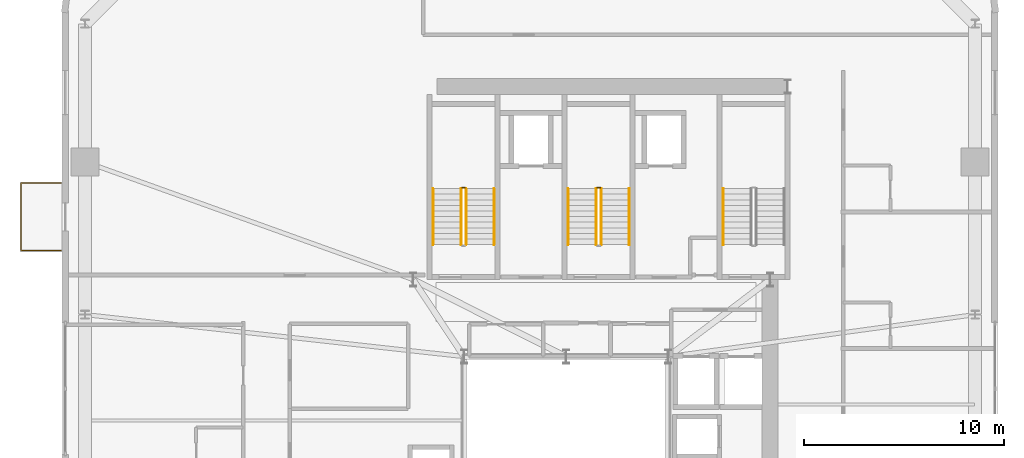
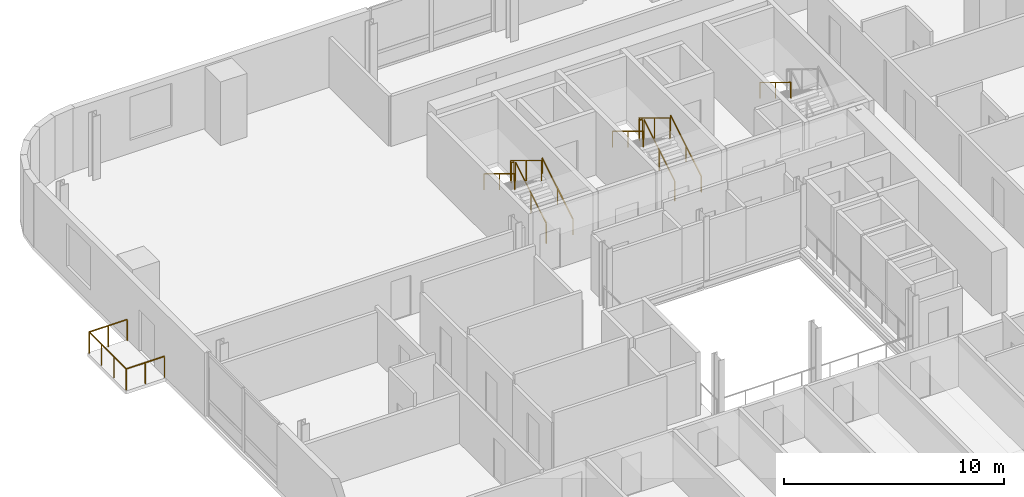
# One storey, part 15 of 16: 12 railings.
"""IFC4 building model written with IfcOpenShell, lengths in metres."""

from ifc_helpers import new_model, si_unit, direction, frame, origin, origin_2d, place, context, subcontext, project, spatial, rectangle, extrude, source, transform, mapped, material, type_object, element, save


model = new_model("IFC4")

# Units and contexts
model_context = context("Model", 3, precision=1e-05, world=origin(), true_north=direction((0.0, 1.0)))
body_context = subcontext(model_context, "Body", "Model", "MODEL_VIEW")
ifc_project = project(units=[si_unit("LENGTHUNIT", "METRE"), si_unit("AREAUNIT", "SQUARE_METRE"), si_unit("VOLUMEUNIT", "CUBIC_METRE"), si_unit("PLANEANGLEUNIT", "RADIAN"), si_unit("MASSUNIT", "GRAM", prefix="KILO")], contexts=[model_context])

# Site, building, storey
site_placement = place(None, origin())
site = spatial("IfcSite", under=ifc_project, at=site_placement, CompositionType="ELEMENT")
building_placement = place(site_placement, origin())
building = spatial("IfcBuilding", under=site, at=building_placement, Name="Vardaveli Station Tower", CompositionType="ELEMENT")
storey_placement = place(building_placement, frame((0.0, 0.0, 184.800048828125)))
storey = spatial("IfcBuildingStorey", under=building, at=storey_placement, Name="L47", CompositionType="ELEMENT", Elevation=184.800048828125)

# Railings
ifc_material_1 = material(Name="Laminated glass and stainless steel balustrade", Category="steel")
railing_type_1 = type_object("IfcRailingType", Name="RL-BAL-1200", PredefinedType="BALUSTRADE", material=ifc_material_1)
shared_shape_1 = source(origin(), body_context, "Body", "SweptSolid", [
    extrude(rectangle(XDim=0.048095703125, YDim=0.048095703125, at=origin_2d()), frame((0.0, 0.0, 1.17578125), z_axis=(-1.0, 0.0, 0.0), x_axis=(0.0, -1.0, 0.0)), (0.0, 0.0, 1.0), 2.0),
    extrude(rectangle(XDim=0.048095703125, YDim=0.048095703125, at=origin_2d()), frame((-2.0, 0.0, 1.17578125), z_axis=(0.0, 1.0, 0.0), x_axis=(-1.0, 0.0, 0.0)), (0.0, 0.0, 1.0), 3.3798828125),
    extrude(rectangle(XDim=0.048095703125, YDim=0.048095703125, at=origin_2d()), frame((-2.0, 3.3798828125, 1.17578125), z_axis=(1.0, 0.0, 0.0), x_axis=(0.0, 1.0, 0.0)), (0.0, 0.0, 1.0), 2.0),
    extrude(rectangle(XDim=0.0419921875, YDim=0.0419921875, at=origin_2d()), origin(), (0.0, 0.0, 1.0), 1.15185546875),
    extrude(rectangle(XDim=0.0419921875, YDim=0.0419921875, at=origin_2d()), frame((-1.0, 0.0, 0.0)), (0.0, 0.0, 1.0), 1.15185546875),
    extrude(rectangle(XDim=0.0419921875, YDim=0.0419921875, at=origin_2d()), frame((-2.0, 0.0, 0.0)), (0.0, 0.0, 1.0), 1.15185546875),
    extrude(rectangle(XDim=0.0419921875, YDim=0.0419921875, at=origin_2d()), frame((-2.0, 1.126708984375, 0.0)), (0.0, 0.0, 1.0), 1.15185546875),
    extrude(rectangle(XDim=0.0419921875, YDim=0.0419921875, at=origin_2d()), frame((-2.0, 2.253173828125, 0.0)), (0.0, 0.0, 1.0), 1.15185546875),
    extrude(rectangle(XDim=0.0419921875, YDim=0.0419921875, at=origin_2d()), frame((-2.0, 3.3798828125, 0.0)), (0.0, 0.0, 1.0), 1.15185546875),
    extrude(rectangle(XDim=0.0419921875, YDim=0.0419921875, at=origin_2d()), frame((-1.0, 3.3798828125, 0.0)), (0.0, 0.0, 1.0), 1.15185546875),
    extrude(rectangle(XDim=0.0419921875, YDim=0.0419921875, at=origin_2d()), frame((0.0, 3.3798828125, 0.0)), (0.0, 0.0, 1.0), 1.15185546875),
])
railing_placement = place(storey_placement, frame((11.06005859375, 32.099609375, 0.0)))
element("IfcRailing", 1, at=railing_placement, inside=storey, type_object=railing_type_1, Name="RL-LOG-L47-03", PredefinedType="BALUSTRADE", context=body_context, shape_type="MappedRepresentation", body=[
    mapped(shared_shape_1, transform((0.0, 0.0, 0.0), scale=1.0)),
])
ifc_material_2 = material(Name="Brushed AISI 316 stainless steel", Category="steel")
railing_type_2 = type_object("IfcRailingType", Name="RL-GUARD-1150", PredefinedType="GUARDRAIL", material=ifc_material_2)
shared_shape_2 = source(origin(), body_context, "Body", "SweptSolid", [
    extrude(rectangle(XDim=0.048095703125, YDim=0.048095703125, at=origin_2d()), frame((0.0, 0.0, 1.1259765625), z_axis=(-1.0, 0.0, 0.0), x_axis=(0.0, -1.0, 0.0)), (0.0, 0.0, 1.0), 0.14990234375),
    extrude(rectangle(XDim=0.0419921875, YDim=0.0419921875, at=origin_2d()), origin(), (0.0, 0.0, 1.0), 1.101806640625),
    extrude(rectangle(XDim=0.0419921875, YDim=0.0419921875, at=origin_2d()), frame((-0.14990234375, 0.0, 0.0)), (0.0, 0.0, 1.0), 1.101806640625),
])
for number, where, name in (
    (2, (31.25, 35.25, 1.875), "L47 ST-1 stair guard 2"),
    (3, (38.0, 35.25, 1.875), "L47 ST-2 stair guard 2"),
):
    element("IfcRailing", number, at=place(storey_placement, frame(where)), inside=storey, type_object=railing_type_2, Name=name, PredefinedType="GUARDRAIL", context=body_context, shape_type="MappedRepresentation", body=[
        mapped(shared_shape_2, transform((0.0, 0.0, 0.0), scale=1.0)),
    ])
shared_shape_3 = source(origin(), body_context, "Body", "SweptSolid", [
    extrude(rectangle(XDim=0.048095703125, YDim=0.048095703125, at=origin_2d()), frame((0.0, 0.0, 1.1259765625), z_axis=(0.0, 0.854169791009, 0.51999420009), x_axis=(-1.0, 0.0, 0.0)), (0.0, 0.0, 1.0), 3.278076171875),
    extrude(rectangle(XDim=0.0419921875, YDim=0.0419921875, at=origin_2d()), origin(), (0.0, 0.0, 1.0), 1.101806640625),
    extrude(rectangle(XDim=0.0419921875, YDim=0.0419921875, at=origin_2d()), frame((0.0, 1.39990234375, 0.852294921875)), (0.0, 0.0, 1.0), 1.101806640625),
    extrude(rectangle(XDim=0.0419921875, YDim=0.0419921875, at=origin_2d()), frame((0.0, 2.800048828125, 1.70458984375)), (0.0, 0.0, 1.0), 1.101806640625),
])
for number, where, name in (
    (4, (31.300048828125, 32.39990234375, 0.17041015625), "L47 ST-1 stair guard 1"),
    (5, (38.050048828125, 32.39990234375, 0.17041015625), "L47 ST-2 stair guard 1"),
):
    element("IfcRailing", number, at=place(storey_placement, frame(where)), inside=storey, type_object=railing_type_2, Name=name, PredefinedType="GUARDRAIL", context=body_context, shape_type="MappedRepresentation", body=[
        mapped(shared_shape_3, transform((0.0, 0.0, 0.0), scale=1.0)),
    ])
shared_shape_4 = source(origin(), body_context, "Body", "SweptSolid", [
    extrude(rectangle(XDim=0.048095703125, YDim=0.048095703125, at=origin_2d()), frame((0.0, 0.0, 1.1259765625), z_axis=(0.0, -0.854169791009, 0.51999420009), x_axis=(1.0, 0.0, 0.0)), (0.0, 0.0, 1.0), 3.278076171875),
    extrude(rectangle(XDim=0.0419921875, YDim=0.0419921875, at=origin_2d()), origin(), (0.0, 0.0, 1.0), 1.101806640625),
    extrude(rectangle(XDim=0.0419921875, YDim=0.0419921875, at=origin_2d()), frame((0.0, -1.39990234375, 0.852294921875)), (0.0, 0.0, 1.0), 1.101806640625),
    extrude(rectangle(XDim=0.0419921875, YDim=0.0419921875, at=origin_2d()), frame((0.0, -2.800048828125, 1.70458984375)), (0.0, 0.0, 1.0), 1.101806640625),
])
for number, where, name in (
    (6, (31.050048828125, 35.199951171875, 2.04541015625), "L47 ST-1 stair guard 3"),
    (7, (37.800048828125, 35.199951171875, 2.04541015625), "L47 ST-2 stair guard 3"),
):
    element("IfcRailing", number, at=place(storey_placement, frame(where)), inside=storey, type_object=railing_type_2, Name=name, PredefinedType="GUARDRAIL", context=body_context, shape_type="MappedRepresentation", body=[
        mapped(shared_shape_4, transform((0.0, 0.0, 0.0), scale=1.0)),
    ])
railing_type_3 = type_object("IfcRailingType", Name="RL-HAND-900", PredefinedType="HANDRAIL", material=ifc_material_2)
shared_shape_5 = source(origin(), body_context, "Body", "SweptSolid", [
    extrude(rectangle(XDim=0.048095703125, YDim=0.048095703125, at=origin_2d()), frame((0.0, 0.0, 0.8759765625), z_axis=(0.0, 0.854169791009, 0.51999420009), x_axis=(-1.0, 0.0, 0.0)), (0.0, 0.0, 1.0), 3.278076171875),
    extrude(rectangle(XDim=0.0419921875, YDim=0.0419921875, at=origin_2d()), origin(), (0.0, 0.0, 1.0), 0.851806640625),
    extrude(rectangle(XDim=0.0419921875, YDim=0.0419921875, at=origin_2d()), frame((0.0, 1.39990234375, 0.852294921875)), (0.0, 0.0, 1.0), 0.851806640625),
    extrude(rectangle(XDim=0.0419921875, YDim=0.0419921875, at=origin_2d()), frame((0.0, 2.800048828125, 1.70458984375)), (0.0, 0.0, 1.0), 0.851806640625),
])
for number, where, name in (
    (8, (32.699951171875, 32.39990234375, 0.17041015625), "L47 ST-1 stair handrail 1"),
    (9, (39.449951171875, 32.39990234375, 0.17041015625), "L47 ST-2 stair handrail 1"),
):
    element("IfcRailing", number, at=place(storey_placement, frame(where)), inside=storey, type_object=railing_type_3, Name=name, PredefinedType="HANDRAIL", context=body_context, shape_type="MappedRepresentation", body=[
        mapped(shared_shape_5, transform((0.0, 0.0, 0.0), scale=1.0)),
    ])
shared_shape_6 = source(origin(), body_context, "Body", "SweptSolid", [
    extrude(rectangle(XDim=0.048095703125, YDim=0.048095703125, at=origin_2d()), frame((0.0, 0.0, 0.8759765625), z_axis=(0.0, -0.854169791009, 0.51999420009), x_axis=(1.0, 0.0, 0.0)), (0.0, 0.0, 1.0), 3.278076171875),
    extrude(rectangle(XDim=0.0419921875, YDim=0.0419921875, at=origin_2d()), origin(), (0.0, 0.0, 1.0), 0.851806640625),
    extrude(rectangle(XDim=0.0419921875, YDim=0.0419921875, at=origin_2d()), frame((0.0, -1.39990234375, 0.852294921875)), (0.0, 0.0, 1.0), 0.851806640625),
    extrude(rectangle(XDim=0.0419921875, YDim=0.0419921875, at=origin_2d()), frame((0.0, -2.800048828125, 1.70458984375)), (0.0, 0.0, 1.0), 0.851806640625),
])
for number, where, name in (
    (10, (29.64990234375, 35.199951171875, 2.04541015625), "L47 ST-1 stair handrail 2"),
    (11, (36.39990234375, 35.199951171875, 2.04541015625), "L47 ST-2 stair handrail 2"),
    (12, (44.14990234375, 35.199951171875, 2.04541015625), "L47 ST-3 stair handrail 2"),
):
    element("IfcRailing", number, at=place(storey_placement, frame(where)), inside=storey, type_object=railing_type_3, Name=name, PredefinedType="HANDRAIL", context=body_context, shape_type="MappedRepresentation", body=[
        mapped(shared_shape_6, transform((0.0, 0.0, 0.0), scale=1.0)),
    ])

save(model, "model.ifc")
